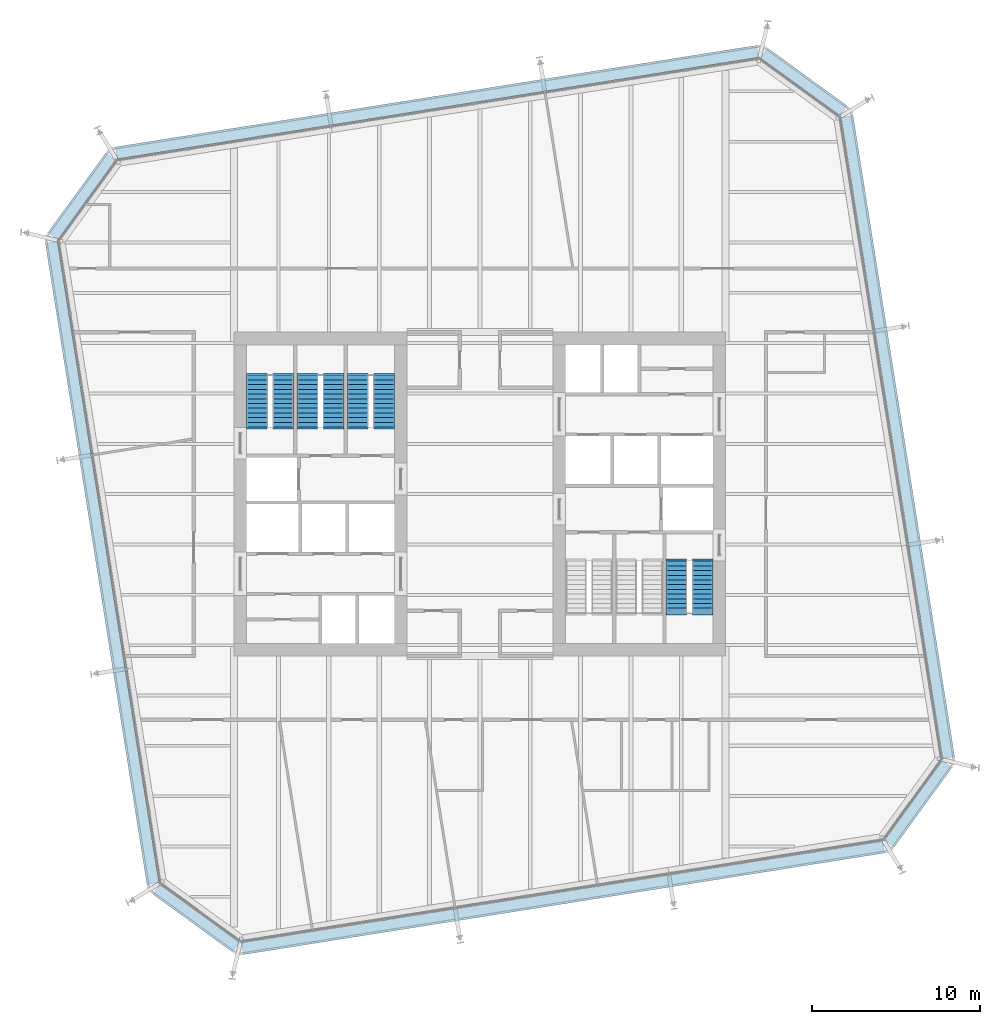
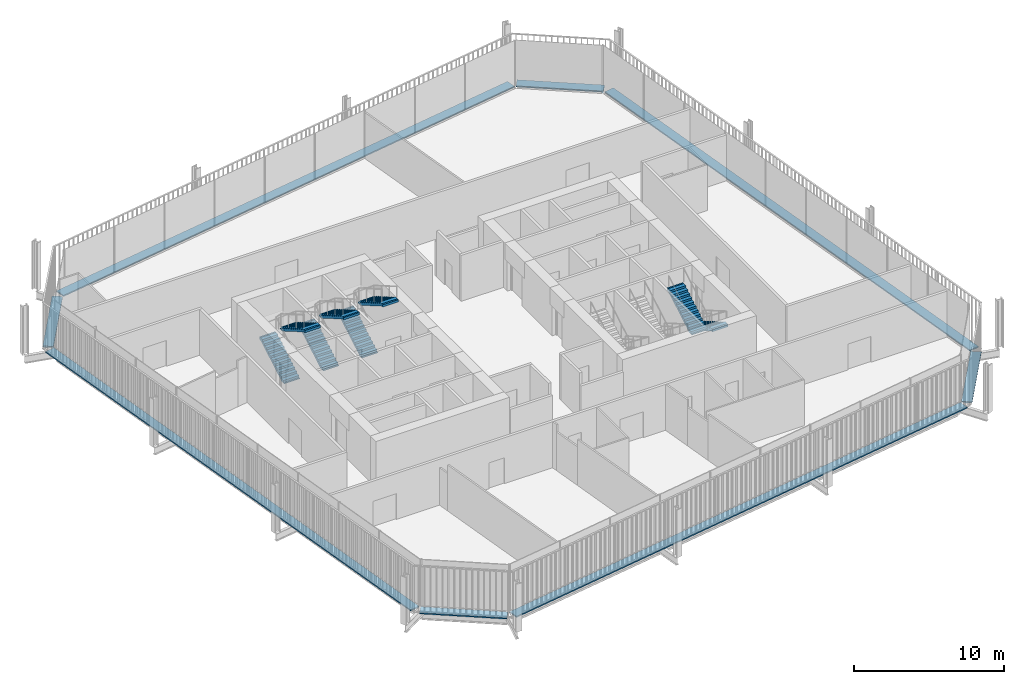
# One storey, part 20 of 21: 8 discrete accessories, 8 stair flights, 4 elements without a shape of their own.
"""IFC4 building model written with IfcOpenShell, lengths in metres."""

from ifc_helpers import new_model, si_unit, direction, frame, origin, origin_2d, place, context, subcontext, project, spatial, polyline, rectangle, outline, extrude, material, type_object, element, aggregate, save


model = new_model("IFC4")

# Units and contexts
model_context = context("Model", 3, precision=1e-05, world=origin(), true_north=direction((0.0, 1.0)))
body_context = subcontext(model_context, "Body", "Model", "MODEL_VIEW")
ifc_project = project(units=[si_unit("LENGTHUNIT", "METRE"), si_unit("AREAUNIT", "SQUARE_METRE"), si_unit("VOLUMEUNIT", "CUBIC_METRE"), si_unit("PLANEANGLEUNIT", "RADIAN"), si_unit("MASSUNIT", "GRAM", prefix="KILO")], contexts=[model_context])

# Site, building, storey
site_placement = place(None, origin())
site = spatial("IfcSite", under=ifc_project, at=site_placement, CompositionType="ELEMENT")
building_placement = place(site_placement, origin())
building = spatial("IfcBuilding", under=site, at=building_placement, Name="Millrace Tower", CompositionType="ELEMENT")
storey_placement = place(building_placement, frame((0.0, 0.0, 149.0)))
storey = spatial("IfcBuildingStorey", under=building, at=storey_placement, Name="L33", CompositionType="ELEMENT", Elevation=149.0)

# Stair, stair flights
ifc_material_1 = material(Name="Concrete C35", Category="concrete")
stair_type = type_object("IfcStairType", Name="Exit stair", PredefinedType="HALF_TURN_STAIR", material=ifc_material_1)
placement = place(storey_placement, origin())
stair_1 = element("IfcStair", 1, at=placement, inside=storey, type_object=stair_type, Name="Stair 1 W L33", PredefinedType="HALF_TURN_STAIR")
ifc_material_2 = material(Name="Concrete C35", Category="concrete")
stair_flight_type = type_object("IfcStairFlightType", Name="Exit stair flight", PredefinedType="STRAIGHT", material=ifc_material_2)
stair_flight_1_placement = place(storey_placement, frame((-13.2900390625, 4.0, 0.0), z_axis=(0.0, 0.0, 1.0), x_axis=(0.0, 1.0, 0.0)))
stair_flight_1 = element("IfcStairFlight", 2, at=stair_flight_1_placement, type_object=stair_flight_type, Name="ST12 flight 1", NumberOfRisers=12, NumberOfTreads=11, PredefinedType="STRAIGHT", RiserHeight=0.1625, TreadLength=0.28, context=body_context, shape_type="SweptSolid", body=[
    extrude(outline(polyline([(-0.1201171875, -0.0400390625), (-0.1201171875, 0.0), (0.0, 0.0), (0.0, 0.16259765625), (0.280029296875, 0.16259765625), (0.280029296875, 0.324951171875), (0.56005859375, 0.324951171875), (0.56005859375, 0.487548828125), (0.840087890625, 0.487548828125), (0.840087890625, 0.64990234375), (1.1201171875, 0.64990234375), (1.1201171875, 0.8125), (1.39990234375, 0.8125), (1.39990234375, 0.97509765625), (1.679931640625, 0.97509765625), (1.679931640625, 1.137451171875), (1.9599609375, 1.137451171875), (1.9599609375, 1.300048828125), (2.239990234375, 1.300048828125), (2.239990234375, 1.46240234375), (2.52001953125, 1.46240234375), (2.52001953125, 1.625), (2.800048828125, 1.625), (2.800048828125, 1.78759765625), (3.080078125, 1.78759765625), (3.080078125, 1.8076171875), (3.199951171875, 1.8076171875), (3.199951171875, 1.6142578125), (3.080078125, 1.6142578125), (0.298583984375, 0.0), (0.298583984375, -0.0400390625), (-0.1201171875, -0.0400390625)])), frame((0.0, 0.60986328125, 0.0), z_axis=(0.0, -1.0, 0.0), x_axis=(1.0, 0.0, 0.0)), (0.0, 0.0, 1.0), 1.219970703125),
])
stair_flight_2_placement = place(storey_placement, frame((-11.7099609375, 7.080078125, 1.949951171875), z_axis=(0.0, 0.0, 1.0), x_axis=(0.0, -1.0, 0.0)))
stair_flight_2 = element("IfcStairFlight", 3, at=stair_flight_2_placement, type_object=stair_flight_type, Name="ST12 flight 2", NumberOfRisers=12, NumberOfTreads=11, PredefinedType="STRAIGHT", RiserHeight=0.1625, TreadLength=0.28, context=body_context, shape_type="SweptSolid", body=[
    extrude(outline(polyline([(-0.1201171875, -0.0400390625), (-0.1201171875, 0.0), (0.0, 0.0), (0.0, 0.16259765625), (0.280029296875, 0.16259765625), (0.280029296875, 0.324951171875), (0.56005859375, 0.324951171875), (0.56005859375, 0.487548828125), (0.840087890625, 0.487548828125), (0.840087890625, 0.64990234375), (1.1201171875, 0.64990234375), (1.1201171875, 0.8125), (1.39990234375, 0.8125), (1.39990234375, 0.97509765625), (1.679931640625, 0.97509765625), (1.679931640625, 1.137451171875), (1.9599609375, 1.137451171875), (1.9599609375, 1.300048828125), (2.239990234375, 1.300048828125), (2.239990234375, 1.46240234375), (2.52001953125, 1.46240234375), (2.52001953125, 1.625), (2.800048828125, 1.625), (2.800048828125, 1.78759765625), (3.080078125, 1.78759765625), (3.080078125, 1.8076171875), (3.199951171875, 1.8076171875), (3.199951171875, 1.6142578125), (3.080078125, 1.6142578125), (0.298583984375, 0.0), (0.298583984375, -0.0400390625), (-0.1201171875, -0.0400390625)])), frame((0.0, 0.60986328125, 0.0), z_axis=(0.0, -1.0, 0.0), x_axis=(1.0, 0.0, 0.0)), (0.0, 0.0, 1.0), 1.219970703125),
])
aggregate(stair_1, [stair_flight_1, stair_flight_2])

stair_2 = element("IfcStair", 4, at=placement, inside=storey, type_object=stair_type, Name="Stair 2 W L33", PredefinedType="HALF_TURN_STAIR")
stair_flight_3_placement = place(storey_placement, frame((-10.2900390625, 4.0, 0.0), z_axis=(0.0, 0.0, 1.0), x_axis=(0.0, 1.0, 0.0)))
stair_flight_3 = element("IfcStairFlight", 5, at=stair_flight_3_placement, type_object=stair_flight_type, Name="ST12 flight 1", NumberOfRisers=12, NumberOfTreads=11, PredefinedType="STRAIGHT", RiserHeight=0.1625, TreadLength=0.28, context=body_context, shape_type="SweptSolid", body=[
    extrude(outline(polyline([(-0.1201171875, -0.0400390625), (-0.1201171875, 0.0), (0.0, 0.0), (0.0, 0.16259765625), (0.280029296875, 0.16259765625), (0.280029296875, 0.324951171875), (0.56005859375, 0.324951171875), (0.56005859375, 0.487548828125), (0.840087890625, 0.487548828125), (0.840087890625, 0.64990234375), (1.1201171875, 0.64990234375), (1.1201171875, 0.8125), (1.39990234375, 0.8125), (1.39990234375, 0.97509765625), (1.679931640625, 0.97509765625), (1.679931640625, 1.137451171875), (1.9599609375, 1.137451171875), (1.9599609375, 1.300048828125), (2.239990234375, 1.300048828125), (2.239990234375, 1.46240234375), (2.52001953125, 1.46240234375), (2.52001953125, 1.625), (2.800048828125, 1.625), (2.800048828125, 1.78759765625), (3.080078125, 1.78759765625), (3.080078125, 1.8076171875), (3.199951171875, 1.8076171875), (3.199951171875, 1.6142578125), (3.080078125, 1.6142578125), (0.298583984375, 0.0), (0.298583984375, -0.0400390625), (-0.1201171875, -0.0400390625)])), frame((0.0, 0.60986328125, 0.0), z_axis=(0.0, -1.0, 0.0), x_axis=(1.0, 0.0, 0.0)), (0.0, 0.0, 1.0), 1.219970703125),
])
stair_flight_4_placement = place(storey_placement, frame((-8.7099609375, 7.080078125, 1.949951171875), z_axis=(0.0, 0.0, 1.0), x_axis=(0.0, -1.0, 0.0)))
stair_flight_4 = element("IfcStairFlight", 6, at=stair_flight_4_placement, type_object=stair_flight_type, Name="ST12 flight 2", NumberOfRisers=12, NumberOfTreads=11, PredefinedType="STRAIGHT", RiserHeight=0.1625, TreadLength=0.28, context=body_context, shape_type="SweptSolid", body=[
    extrude(outline(polyline([(-0.1201171875, -0.0400390625), (-0.1201171875, 0.0), (0.0, 0.0), (0.0, 0.16259765625), (0.280029296875, 0.16259765625), (0.280029296875, 0.324951171875), (0.56005859375, 0.324951171875), (0.56005859375, 0.487548828125), (0.840087890625, 0.487548828125), (0.840087890625, 0.64990234375), (1.1201171875, 0.64990234375), (1.1201171875, 0.8125), (1.39990234375, 0.8125), (1.39990234375, 0.97509765625), (1.679931640625, 0.97509765625), (1.679931640625, 1.137451171875), (1.9599609375, 1.137451171875), (1.9599609375, 1.300048828125), (2.239990234375, 1.300048828125), (2.239990234375, 1.46240234375), (2.52001953125, 1.46240234375), (2.52001953125, 1.625), (2.800048828125, 1.625), (2.800048828125, 1.78759765625), (3.080078125, 1.78759765625), (3.080078125, 1.8076171875), (3.199951171875, 1.8076171875), (3.199951171875, 1.6142578125), (3.080078125, 1.6142578125), (0.298583984375, 0.0), (0.298583984375, -0.0400390625), (-0.1201171875, -0.0400390625)])), frame((0.0, 0.60986328125, 0.0), z_axis=(0.0, -1.0, 0.0), x_axis=(1.0, 0.0, 0.0)), (0.0, 0.0, 1.0), 1.219970703125),
])
aggregate(stair_2, [stair_flight_3, stair_flight_4])

stair_3 = element("IfcStair", 7, at=placement, inside=storey, type_object=stair_type, Name="Stair 3 W L33", PredefinedType="HALF_TURN_STAIR")
stair_flight_5_placement = place(storey_placement, frame((-7.2900390625, 4.0, 0.0), z_axis=(0.0, 0.0, 1.0), x_axis=(0.0, 1.0, 0.0)))
stair_flight_5 = element("IfcStairFlight", 8, at=stair_flight_5_placement, type_object=stair_flight_type, Name="ST12 flight 1", NumberOfRisers=12, NumberOfTreads=11, PredefinedType="STRAIGHT", RiserHeight=0.1625, TreadLength=0.28, context=body_context, shape_type="SweptSolid", body=[
    extrude(outline(polyline([(-0.1201171875, -0.0400390625), (-0.1201171875, 0.0), (0.0, 0.0), (0.0, 0.16259765625), (0.280029296875, 0.16259765625), (0.280029296875, 0.324951171875), (0.56005859375, 0.324951171875), (0.56005859375, 0.487548828125), (0.840087890625, 0.487548828125), (0.840087890625, 0.64990234375), (1.1201171875, 0.64990234375), (1.1201171875, 0.8125), (1.39990234375, 0.8125), (1.39990234375, 0.97509765625), (1.679931640625, 0.97509765625), (1.679931640625, 1.137451171875), (1.9599609375, 1.137451171875), (1.9599609375, 1.300048828125), (2.239990234375, 1.300048828125), (2.239990234375, 1.46240234375), (2.52001953125, 1.46240234375), (2.52001953125, 1.625), (2.800048828125, 1.625), (2.800048828125, 1.78759765625), (3.080078125, 1.78759765625), (3.080078125, 1.8076171875), (3.199951171875, 1.8076171875), (3.199951171875, 1.6142578125), (3.080078125, 1.6142578125), (0.298583984375, 0.0), (0.298583984375, -0.0400390625), (-0.1201171875, -0.0400390625)])), frame((0.0, 0.60986328125, 0.0), z_axis=(0.0, -1.0, 0.0), x_axis=(1.0, 0.0, 0.0)), (0.0, 0.0, 1.0), 1.219970703125),
])
stair_flight_6_placement = place(storey_placement, frame((-5.7099609375, 7.080078125, 1.949951171875), z_axis=(0.0, 0.0, 1.0), x_axis=(0.0, -1.0, 0.0)))
stair_flight_6 = element("IfcStairFlight", 9, at=stair_flight_6_placement, type_object=stair_flight_type, Name="ST12 flight 2", NumberOfRisers=12, NumberOfTreads=11, PredefinedType="STRAIGHT", RiserHeight=0.1625, TreadLength=0.28, context=body_context, shape_type="SweptSolid", body=[
    extrude(outline(polyline([(-0.1201171875, -0.0400390625), (-0.1201171875, 0.0), (0.0, 0.0), (0.0, 0.16259765625), (0.280029296875, 0.16259765625), (0.280029296875, 0.324951171875), (0.56005859375, 0.324951171875), (0.56005859375, 0.487548828125), (0.840087890625, 0.487548828125), (0.840087890625, 0.64990234375), (1.1201171875, 0.64990234375), (1.1201171875, 0.8125), (1.39990234375, 0.8125), (1.39990234375, 0.97509765625), (1.679931640625, 0.97509765625), (1.679931640625, 1.137451171875), (1.9599609375, 1.137451171875), (1.9599609375, 1.300048828125), (2.239990234375, 1.300048828125), (2.239990234375, 1.46240234375), (2.52001953125, 1.46240234375), (2.52001953125, 1.625), (2.800048828125, 1.625), (2.800048828125, 1.78759765625), (3.080078125, 1.78759765625), (3.080078125, 1.8076171875), (3.199951171875, 1.8076171875), (3.199951171875, 1.6142578125), (3.080078125, 1.6142578125), (0.298583984375, 0.0), (0.298583984375, -0.0400390625), (-0.1201171875, -0.0400390625)])), frame((0.0, 0.60986328125, 0.0), z_axis=(0.0, -1.0, 0.0), x_axis=(1.0, 0.0, 0.0)), (0.0, 0.0, 1.0), 1.219970703125),
])
aggregate(stair_3, [stair_flight_5, stair_flight_6])

stair_4 = element("IfcStair", 10, at=placement, inside=storey, type_object=stair_type, Name="Stair 1 E L33", PredefinedType="HALF_TURN_STAIR")
stair_flight_7_placement = place(storey_placement, frame((13.2900390625, -4.0, 0.0), z_axis=(0.0, 0.0, 1.0), x_axis=(0.0, -1.0, 0.0)))
stair_flight_7 = element("IfcStairFlight", 11, at=stair_flight_7_placement, type_object=stair_flight_type, Name="ST12 flight 1", NumberOfRisers=12, NumberOfTreads=11, PredefinedType="STRAIGHT", RiserHeight=0.1625, TreadLength=0.28, context=body_context, shape_type="SweptSolid", body=[
    extrude(outline(polyline([(-0.1201171875, -0.0400390625), (-0.1201171875, 0.0), (0.0, 0.0), (0.0, 0.16259765625), (0.280029296875, 0.16259765625), (0.280029296875, 0.324951171875), (0.56005859375, 0.324951171875), (0.56005859375, 0.487548828125), (0.840087890625, 0.487548828125), (0.840087890625, 0.64990234375), (1.1201171875, 0.64990234375), (1.1201171875, 0.8125), (1.39990234375, 0.8125), (1.39990234375, 0.97509765625), (1.679931640625, 0.97509765625), (1.679931640625, 1.137451171875), (1.9599609375, 1.137451171875), (1.9599609375, 1.300048828125), (2.239990234375, 1.300048828125), (2.239990234375, 1.46240234375), (2.52001953125, 1.46240234375), (2.52001953125, 1.625), (2.800048828125, 1.625), (2.800048828125, 1.78759765625), (3.080078125, 1.78759765625), (3.080078125, 1.8076171875), (3.199951171875, 1.8076171875), (3.199951171875, 1.6142578125), (3.080078125, 1.6142578125), (0.298583984375, 0.0), (0.298583984375, -0.0400390625), (-0.1201171875, -0.0400390625)])), frame((0.0, 0.60986328125, 0.0), z_axis=(0.0, -1.0, 0.0), x_axis=(1.0, 0.0, 0.0)), (0.0, 0.0, 1.0), 1.219970703125),
])
stair_flight_8_placement = place(storey_placement, frame((11.7099609375, -7.080078125, 1.949951171875), z_axis=(0.0, 0.0, 1.0), x_axis=(0.0, 1.0, 0.0)))
stair_flight_8 = element("IfcStairFlight", 12, at=stair_flight_8_placement, type_object=stair_flight_type, Name="ST12 flight 2", NumberOfRisers=12, NumberOfTreads=11, PredefinedType="STRAIGHT", RiserHeight=0.1625, TreadLength=0.28, context=body_context, shape_type="SweptSolid", body=[
    extrude(outline(polyline([(-0.1201171875, -0.0400390625), (-0.1201171875, 0.0), (0.0, 0.0), (0.0, 0.16259765625), (0.280029296875, 0.16259765625), (0.280029296875, 0.324951171875), (0.56005859375, 0.324951171875), (0.56005859375, 0.487548828125), (0.840087890625, 0.487548828125), (0.840087890625, 0.64990234375), (1.1201171875, 0.64990234375), (1.1201171875, 0.8125), (1.39990234375, 0.8125), (1.39990234375, 0.97509765625), (1.679931640625, 0.97509765625), (1.679931640625, 1.137451171875), (1.9599609375, 1.137451171875), (1.9599609375, 1.300048828125), (2.239990234375, 1.300048828125), (2.239990234375, 1.46240234375), (2.52001953125, 1.46240234375), (2.52001953125, 1.625), (2.800048828125, 1.625), (2.800048828125, 1.78759765625), (3.080078125, 1.78759765625), (3.080078125, 1.8076171875), (3.199951171875, 1.8076171875), (3.199951171875, 1.6142578125), (3.080078125, 1.6142578125), (0.298583984375, 0.0), (0.298583984375, -0.0400390625), (-0.1201171875, -0.0400390625)])), frame((0.0, 0.60986328125, 0.0), z_axis=(0.0, -1.0, 0.0), x_axis=(1.0, 0.0, 0.0)), (0.0, 0.0, 1.0), 1.219970703125),
])
aggregate(stair_4, [stair_flight_7, stair_flight_8])

# Discrete accessories
ifc_material_3 = material(Name="Stainless steel ASTM A240 type 316", Category="steel")
discrete_accessory_type = type_object("IfcDiscreteAccessoryType", Name="Thermally broken screen support rail", PredefinedType="BRACKET", material=ifc_material_3)
discrete_accessory_1_placement = place(storey_placement, frame((-16.909423828125, -25.275390625, 0.0), z_axis=(0.0, 0.0, 1.0), x_axis=(0.809016981623, -0.587785269844, 0.0)))
element("IfcDiscreteAccessory", 13, at=discrete_accessory_1_placement, inside=storey, type_object=discrete_accessory_type, Name="Thermally broken screen support rail C-F01 L33 1", PredefinedType="BRACKET", context=body_context, shape_type="SweptSolid", body=[
    extrude(rectangle(XDim=5.868896484375, YDim=0.719970703125, at=origin_2d()), origin(), (0.0, 0.0, 1.0), 0.10009765625),
])
discrete_accessory_2_placement = place(storey_placement, frame((4.9560546875, -24.064453125, 0.0), z_axis=(0.0, 0.0, 1.0), x_axis=(0.98768833929, 0.15643447328, 0.0)))
element("IfcDiscreteAccessory", 14, at=discrete_accessory_2_placement, inside=storey, type_object=discrete_accessory_type, Name="Thermally broken screen support rail C-F02 L33 1", PredefinedType="BRACKET", context=body_context, shape_type="SweptSolid", body=[
    extrude(rectangle(XDim=38.699951171875, YDim=0.719970703125, at=origin_2d()), origin(), (0.0, 0.0, 1.0), 0.10009765625),
])
discrete_accessory_3_placement = place(storey_placement, frame((26.12548828125, -18.45947265625, 0.0), z_axis=(0.0, 0.0, 1.0), x_axis=(0.587785269844, 0.809016981623, 0.0)))
element("IfcDiscreteAccessory", 15, at=discrete_accessory_3_placement, inside=storey, type_object=discrete_accessory_type, Name="Thermally broken screen support rail C-F03 L33 1", PredefinedType="BRACKET", context=body_context, shape_type="SweptSolid", body=[
    extrude(rectangle(XDim=5.868896484375, YDim=0.719970703125, at=origin_2d()), origin(), (0.0, 0.0, 1.0), 0.10009765625),
])
discrete_accessory_4_placement = place(storey_placement, frame((24.914306640625, 3.406005859375, 0.0), z_axis=(0.0, 0.0, 1.0), x_axis=(-0.15643447328, 0.98768833929, 0.0)))
element("IfcDiscreteAccessory", 16, at=discrete_accessory_4_placement, inside=storey, type_object=discrete_accessory_type, Name="Thermally broken screen support rail C-F04 L33 1", PredefinedType="BRACKET", context=body_context, shape_type="SweptSolid", body=[
    extrude(rectangle(XDim=38.699951171875, YDim=0.719970703125, at=origin_2d()), origin(), (0.0, 0.0, 1.0), 0.10009765625),
])
discrete_accessory_5_placement = place(storey_placement, frame((19.309326171875, 24.575439453125, 0.0), z_axis=(0.0, 0.0, 1.0), x_axis=(-0.809016981623, 0.587785269844, 0.0)))
element("IfcDiscreteAccessory", 17, at=discrete_accessory_5_placement, inside=storey, type_object=discrete_accessory_type, Name="Thermally broken screen support rail C-F05 L33 1", PredefinedType="BRACKET", context=body_context, shape_type="SweptSolid", body=[
    extrude(rectangle(XDim=5.868896484375, YDim=0.719970703125, at=origin_2d()), origin(), (0.0, 0.0, 1.0), 0.10009765625),
])
discrete_accessory_6_placement = place(storey_placement, frame((-2.555908203125, 23.364501953125, 0.0), z_axis=(0.0, 0.0, 1.0), x_axis=(-0.98768833929, -0.15643447328, 0.0)))
element("IfcDiscreteAccessory", 18, at=discrete_accessory_6_placement, inside=storey, type_object=discrete_accessory_type, Name="Thermally broken screen support rail C-F06 L33 1", PredefinedType="BRACKET", context=body_context, shape_type="SweptSolid", body=[
    extrude(rectangle(XDim=38.699951171875, YDim=0.719970703125, at=origin_2d()), origin(), (0.0, 0.0, 1.0), 0.10009765625),
])
discrete_accessory_7_placement = place(storey_placement, frame((-23.725341796875, 17.75927734375, 0.0), z_axis=(0.0, 0.0, 1.0), x_axis=(-0.587785269844, -0.809016981623, 0.0)))
element("IfcDiscreteAccessory", 19, at=discrete_accessory_7_placement, inside=storey, type_object=discrete_accessory_type, Name="Thermally broken screen support rail C-F07 L33 1", PredefinedType="BRACKET", context=body_context, shape_type="SweptSolid", body=[
    extrude(rectangle(XDim=5.868896484375, YDim=0.719970703125, at=origin_2d()), origin(), (0.0, 0.0, 1.0), 0.10009765625),
])
discrete_accessory_8_placement = place(storey_placement, frame((-22.514404296875, -4.10595703125, 0.0), z_axis=(0.0, 0.0, 1.0), x_axis=(0.15643447328, -0.98768833929, 0.0)))
element("IfcDiscreteAccessory", 20, at=discrete_accessory_8_placement, inside=storey, type_object=discrete_accessory_type, Name="Thermally broken screen support rail C-F08 L33 1", PredefinedType="BRACKET", context=body_context, shape_type="SweptSolid", body=[
    extrude(rectangle(XDim=38.699951171875, YDim=0.719970703125, at=origin_2d()), origin(), (0.0, 0.0, 1.0), 0.10009765625),
])

save(model, "model.ifc")
